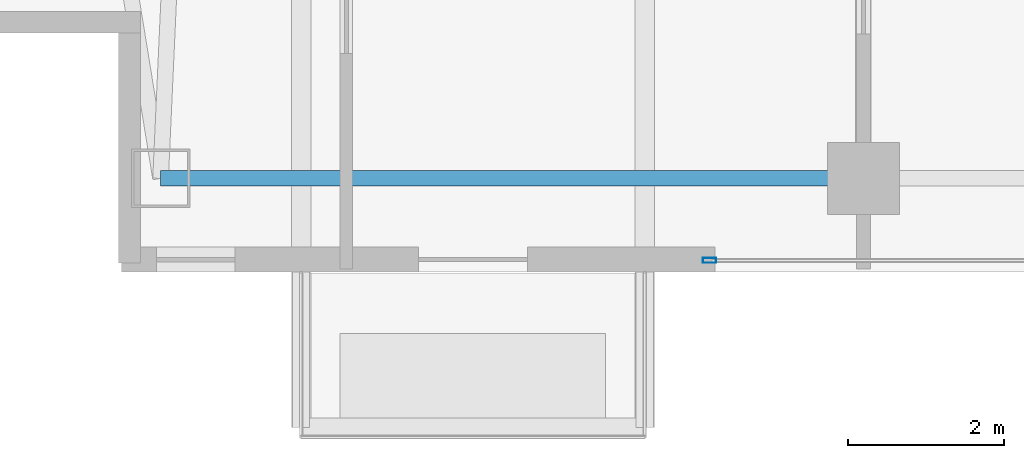
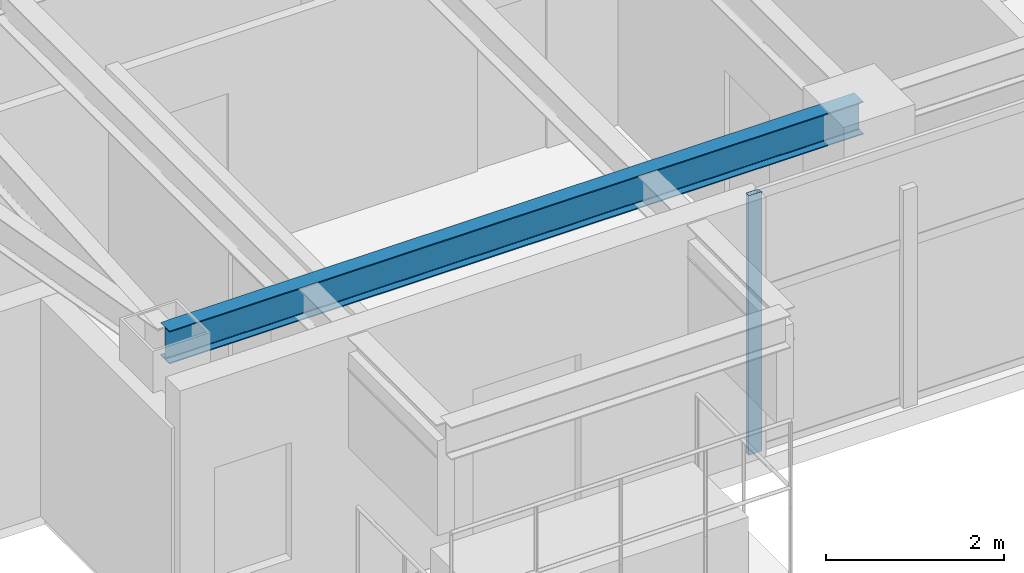
# One storey, part 3 of 29: 1 beam, 1 member, 1 element without a shape of its own.
"""IFC4 building model written with IfcOpenShell, lengths in metres."""

from ifc_helpers import new_model, si_unit, direction, frame, origin, origin_2d, place, context, subcontext, project, spatial, hollow_rectangle, i_section, extrude, material, layer, layer_set, material_profile, profile_set, type_object, element, aggregate, save


model = new_model("IFC4")

# Units and contexts
model_context = context("Model", 3, precision=1e-05, world=origin(), true_north=direction((0.0, 1.0)))
body_context = subcontext(model_context, "Body", "Model", "MODEL_VIEW")
ifc_project = project(units=[si_unit("LENGTHUNIT", "METRE"), si_unit("AREAUNIT", "SQUARE_METRE"), si_unit("VOLUMEUNIT", "CUBIC_METRE"), si_unit("PLANEANGLEUNIT", "RADIAN"), si_unit("MASSUNIT", "GRAM", prefix="KILO")], contexts=[model_context])

# Site, building, storey
site_placement = place(None, origin())
site = spatial("IfcSite", under=ifc_project, at=site_placement, CompositionType="ELEMENT")
building_placement = place(site_placement, origin())
building = spatial("IfcBuilding", under=site, at=building_placement, Name="Calvorn Quay Hotel", CompositionType="ELEMENT")
storey_placement = place(building_placement, frame((0.0, 0.0, 255.199951171875)))
storey = spatial("IfcBuildingStorey", under=building, at=storey_placement, Name="L63", CompositionType="ELEMENT", Elevation=255.199951171875)

# Beam
ifc_material_1 = material(Name="Steel Q355B", Category="steel")
ifc_material_profile_1 = material_profile(ifc_material_1, i_section(OverallWidth=0.199951171875, OverallDepth=0.449951171875, WebThickness=0.009033203125, FlangeThickness=0.013916015625, FilletRadius=0.01611328125, at=origin_2d()), Name="HN450x200x9x14")
ifc_profile_set_1 = profile_set([ifc_material_profile_1], Name="Steel Q355B")
beam_type = type_object("IfcBeamType", Name="BM-SPANDREL-Z3", PredefinedType="SPANDREL", material=ifc_profile_set_1)
beam_placement = place(storey_placement, frame((3.60009765625, 3.60009765625, 3.31494140625), z_axis=(1.0, 0.0, 0.0), x_axis=(0.0, 1.0, 0.0)))
element("IfcBeam", 1, at=beam_placement, inside=storey, type_object=beam_type, Name="Beam BSP-L63-S1", PredefinedType="SPANDREL", context=body_context, shape_type="SweptSolid", body=[
    extrude(i_section(OverallWidth=0.199951171875, OverallDepth=0.449951171875, WebThickness=0.009033203125, FlangeThickness=0.013916015625, FilletRadius=0.01611328125, at=origin_2d()), origin(), (0.0, 0.0, 1.0), 9.0),
])

# Curtain wall, member
ifc_material_2 = material(Name="Champagne Bronze Anodised Aluminium and Low-E Glass", Category="aluminium")
ifc_layer = layer(ifc_material_2, 0.219970703125)
ifc_layer_set = layer_set([ifc_layer], Name="CW-SYS-Z4")
curtain_wall_type = type_object("IfcCurtainWallType", Name="CW-SYS-Z4", PredefinedType="NOTDEFINED", material=ifc_layer_set)
curtain_wall_placement = place(storey_placement, origin())
curtain_wall = element("IfcCurtainWall", 2, at=curtain_wall_placement, inside=storey, type_object=curtain_wall_type, Name="Tower South Waterfront Curtain Wall (L63)", PredefinedType="NOTDEFINED")
ifc_material_3 = material(Name="Champagne Bronze Anodised Aluminium 6063-T6", Category="aluminium")
ifc_material_profile_2 = material_profile(ifc_material_3, hollow_rectangle(XDim=0.06494140625, YDim=0.169921875, WallThickness=0.00341796875, at=origin_2d()), Name="ALU-M170x65x3.5")
ifc_profile_set_2 = profile_set([ifc_material_profile_2], Name="Champagne Bronze Anodised Aluminium 6063-T6")
member_type = type_object("IfcMemberType", Name="CW-SYS-Z4-MUL", PredefinedType="MULLION", material=ifc_profile_set_2)
member_placement = place(storey_placement, frame((10.6298828125, 2.550048828125, 0.0), z_axis=(0.0, 0.0, 1.0), x_axis=(0.0, 1.0, 0.0)))
member = element("IfcMember", 3, at=member_placement, type_object=member_type, Name="CW-L63-S mullion 1", PredefinedType="MULLION", context=body_context, shape_type="SweptSolid", body=[
    extrude(hollow_rectangle(XDim=0.06494140625, YDim=0.169921875, WallThickness=0.00341796875, at=origin_2d()), origin(), (0.0, 0.0, 1.0), 3.56005859375),
])
aggregate(curtain_wall, [member])

save(model, "model.ifc")
